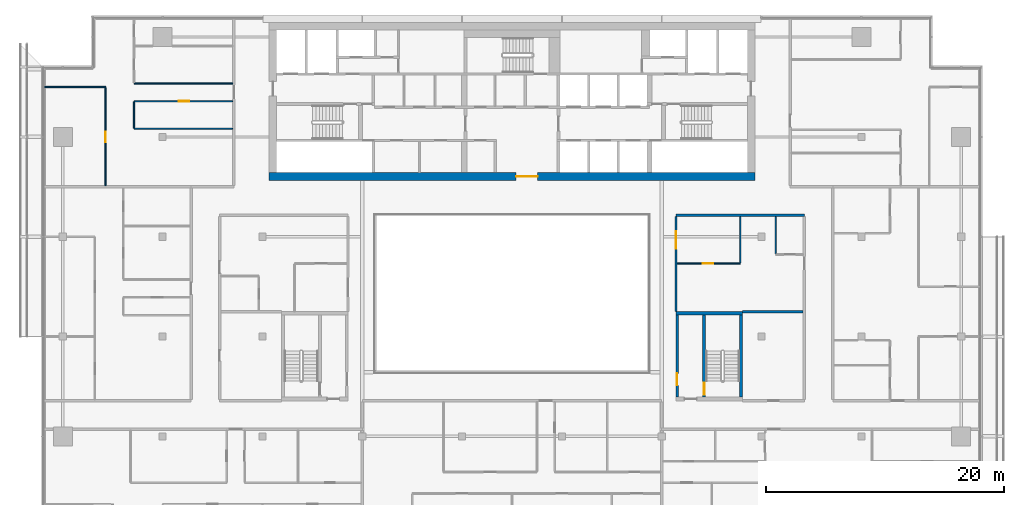
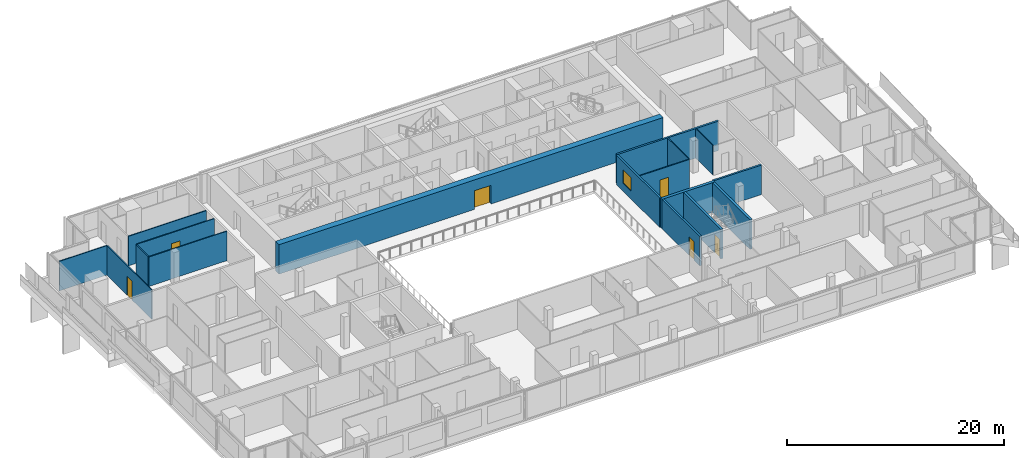
# One storey, part 19 of 28: 17 walls, 6 doors, 1 window, 7 openings.
"""IFC4 building model written with IfcOpenShell, lengths in metres."""

from ifc_helpers import new_model, si_unit, direction, frame, frame_2d, origin, place, context, subcontext, project, spatial, rectangle, extrude, material, layer, layer_set, type_object, element, fill, save


model = new_model("IFC4")

# Units and contexts
model_context = context("Model", 3, precision=1e-05, world=origin(), true_north=direction((0.0, 1.0)))
body_context = subcontext(model_context, "Body", "Model", "MODEL_VIEW")
ifc_project = project(units=[si_unit("LENGTHUNIT", "METRE"), si_unit("AREAUNIT", "SQUARE_METRE"), si_unit("VOLUMEUNIT", "CUBIC_METRE"), si_unit("PLANEANGLEUNIT", "RADIAN"), si_unit("MASSUNIT", "GRAM", prefix="KILO")], contexts=[model_context])

# Site, building, storey
site_placement = place(None, origin())
site = spatial("IfcSite", under=ifc_project, at=site_placement, CompositionType="ELEMENT")
building_placement = place(site_placement, origin())
building = spatial("IfcBuilding", under=site, at=building_placement, Name="Saffron Gate Tower", CompositionType="ELEMENT")
storey_placement = place(building_placement, frame((0.0, 0.0, 241.5)))
storey = spatial("IfcBuildingStorey", under=building, at=storey_placement, Name="L59", CompositionType="ELEMENT", Elevation=241.5)

# Wall, opening, door
ifc_material_1 = material(Name="Gypsum board partition on steel studs", Category="steel")
ifc_layer_1 = layer(ifc_material_1, 0.199951171875)
ifc_layer_set_1 = layer_set([ifc_layer_1], Name="CW10 Core partition 200")
wall_type_1 = type_object("IfcWallType", Name="CW10 Core partition 200", PredefinedType="PARTITIONING", material=ifc_layer_set_1)
wall_1_placement = place(storey_placement, frame((101.5, 43.5, 0.0), z_axis=(0.0, 0.0, 1.0), x_axis=(0.0, 1.0, 0.0)))
wall_1 = element("IfcWall", 1, at=wall_1_placement, inside=storey, type_object=wall_type_1, Name="Wall CW10-L59-E-2", PredefinedType="PARTITIONING", context=body_context, shape_type="SweptSolid", body=[
    extrude(rectangle(XDim=6.89990234375, YDim=0.199951171875, at=frame_2d((3.449951171875, 0.0))), origin(), (0.0, 0.0, 1.0), 3.320068359375),
])
opening_1_placement = place(wall_1_placement, frame((1.0, 0.0, 0.0)))
opening_1 = element("IfcOpeningElement", 2, at=opening_1_placement, cuts=wall_1, Name="Opening CR-22", PredefinedType="OPENING", context=body_context, shape_type="SweptSolid", body=[
    extrude(rectangle(XDim=1.0, YDim=2.10009765625, at=frame_2d((0.5, 1.050048828125))), frame((0.0, 0.10986328125, 0.0), z_axis=(0.0, -1.0, 0.0), x_axis=(1.0, 0.0, 0.0)), (0.0, 0.0, 1.0), 0.219970703125),
])
ifc_material_2 = material(Name="Steel fire door set", Category="steel")
door_type_1 = type_object("IfcDoorType", Name="CD4 Lobby door 1000x2100 EI 120", OperationType="NOTDEFINED", PredefinedType="DOOR", material=ifc_material_2)
door_1_placement = place(opening_1_placement, origin())
door_1 = element("IfcDoor", 3, at=door_1_placement, inside=storey, type_object=door_type_1, Name="DOOR CR-22", OperationType="SINGLE_SWING_LEFT", OverallHeight=2.10009765625, OverallWidth=1.0, PredefinedType="DOOR", context=body_context, shape_type="SweptSolid", body=[
    extrude(rectangle(XDim=1.0, YDim=2.10009765625, at=frame_2d((0.5, 1.050048828125))), frame((0.0, 0.02490234375, 0.0), z_axis=(0.0, -1.0, 0.0), x_axis=(1.0, 0.0, 0.0)), (0.0, 0.0, 1.0), 0.050048828125),
])
fill(opening_1, door_1)

ifc_material_3 = material(Name="Concrete C60", Category="concrete")
ifc_layer_2 = layer(ifc_material_3, 0.25)
ifc_layer_set_2 = layer_set([ifc_layer_2], Name="CW14 RC core wall 250 C60")
wall_type_2 = type_object("IfcWallType", Name="CW14 RC core wall 250 C60", PredefinedType="SOLIDWALL", material=ifc_layer_set_2)
wall_2_placement = place(storey_placement, frame((103.77490234375, 43.5, 0.0), z_axis=(0.0, 0.0, 1.0), x_axis=(0.0, 1.0, 0.0)))
wall_2 = element("IfcWall", 4, at=wall_2_placement, inside=storey, type_object=wall_type_2, Name="Wall CW14-L59-E-3", PredefinedType="SOLIDWALL", context=body_context, shape_type="SweptSolid", body=[
    extrude(rectangle(XDim=6.89990234375, YDim=0.25, at=frame_2d((3.449951171875, 0.0))), origin(), (0.0, 0.0, 1.0), 3.320068359375),
])
opening_2_placement = place(wall_2_placement, frame((0.199951171875, 0.0, 0.0)))
opening_2 = element("IfcOpeningElement", 5, at=opening_2_placement, cuts=wall_2, Name="Opening CR-23", PredefinedType="OPENING", context=body_context, shape_type="SweptSolid", body=[
    extrude(rectangle(XDim=1.0, YDim=2.10009765625, at=frame_2d((0.5, 1.050048828125))), frame((0.0, 0.135009765625, 0.0), z_axis=(0.0, -1.0, 0.0), x_axis=(1.0, 0.0, 0.0)), (0.0, 0.0, 1.0), 0.27001953125),
])
door_type_2 = type_object("IfcDoorType", Name="CD5 Stair door 1000x2100 EI 120", OperationType="NOTDEFINED", PredefinedType="DOOR", material=ifc_material_2)
door_2_placement = place(opening_2_placement, origin())
door_2 = element("IfcDoor", 6, at=door_2_placement, inside=storey, type_object=door_type_2, Name="DOOR CR-23", OperationType="SINGLE_SWING_RIGHT", OverallHeight=2.10009765625, OverallWidth=1.0, PredefinedType="DOOR", context=body_context, shape_type="SweptSolid", body=[
    extrude(rectangle(XDim=1.0, YDim=2.10009765625, at=frame_2d((0.5, 1.050048828125))), frame((0.0, 0.02490234375, 0.0), z_axis=(0.0, -1.0, 0.0), x_axis=(1.0, 0.0, 0.0)), (0.0, 0.0, 1.0), 0.050048828125),
])
fill(opening_2, door_2)

# Walls
wall_3_placement = place(storey_placement, frame((106.875, 43.5, 0.0), z_axis=(0.0, 0.0, 1.0), x_axis=(0.0, 1.0, 0.0)))
element("IfcWall", 7, at=wall_3_placement, inside=storey, type_object=wall_type_2, Name="Wall CW14-L59-E-4", PredefinedType="SOLIDWALL", context=body_context, shape_type="SweptSolid", body=[
    extrude(rectangle(XDim=6.89990234375, YDim=0.25, at=frame_2d((3.449951171875, 0.0))), origin(), (0.0, 0.0, 1.0), 3.320068359375),
])
ifc_layer_3 = layer(ifc_material_3, 0.300048828125)
ifc_layer_set_3 = layer_set([ifc_layer_3], Name="CW17 RC core wall 300 C60")
wall_type_3 = type_object("IfcWallType", Name="CW17 RC core wall 300 C60", PredefinedType="SOLIDWALL", material=ifc_layer_set_3)
wall_4_placement = place(storey_placement, frame((101.39990234375, 50.550048828125, 0.0), z_axis=(0.0, 0.0, 1.0), x_axis=(1.0, 0.0, 0.0)))
element("IfcWall", 8, at=wall_4_placement, inside=storey, type_object=wall_type_3, Name="Wall CW17-L59-E-5", PredefinedType="SOLIDWALL", context=body_context, shape_type="SweptSolid", body=[
    extrude(rectangle(XDim=5.60009765625, YDim=0.300048828125, at=frame_2d((2.800048828125, 0.0))), origin(), (0.0, 0.0, 1.0), 3.320068359375),
])

# Wall, opening, door
ifc_layer_4 = layer(ifc_material_3, 0.64990234375)
ifc_layer_set_4 = layer_set([ifc_layer_4], Name="CW20 RC core wall 650 C60")
wall_type_4 = type_object("IfcWallType", Name="CW20 RC core wall 650 C60", PredefinedType="SOLIDWALL", material=ifc_layer_set_4)
wall_5_placement = place(storey_placement, frame((67.14990234375, 62.074951171875, 0.0), z_axis=(0.0, 0.0, 1.0), x_axis=(1.0, 0.0, 0.0)))
wall_5 = element("IfcWall", 9, at=wall_5_placement, inside=storey, type_object=wall_type_4, Name="Wall CW20-L59-1", PredefinedType="SOLIDWALL", context=body_context, shape_type="SweptSolid", body=[
    extrude(rectangle(XDim=40.900146484375, YDim=0.64990234375, at=frame_2d((20.4501953125, 0.0))), origin(), (0.0, 0.0, 1.0), 3.320068359375),
])
opening_3_placement = place(wall_5_placement, frame((20.800048828125, 0.0, 0.0)))
opening_3 = element("IfcOpeningElement", 10, at=opening_3_placement, cuts=wall_5, Name="Opening CR-09", PredefinedType="OPENING", context=body_context, shape_type="SweptSolid", body=[
    extrude(rectangle(XDim=1.800048828125, YDim=2.10009765625, at=frame_2d((0.89990234375, 1.050048828125))), frame((0.0, 0.3349609375, 0.0), z_axis=(0.0, -1.0, 0.0), x_axis=(1.0, 0.0, 0.0)), (0.0, 0.0, 1.0), 0.669921875),
])
door_type_3 = type_object("IfcDoorType", Name="CD1 Core entrance door 1800x2100 EI 120", OperationType="NOTDEFINED", PredefinedType="DOOR", material=ifc_material_2)
door_3_placement = place(opening_3_placement, origin())
door_3 = element("IfcDoor", 11, at=door_3_placement, inside=storey, type_object=door_type_3, Name="DOOR CR-09", OperationType="DOUBLE_DOOR_SINGLE_SWING", OverallHeight=2.10009765625, OverallWidth=1.800048828125, PredefinedType="DOOR", context=body_context, shape_type="SweptSolid", body=[
    extrude(rectangle(XDim=1.800048828125, YDim=2.10009765625, at=frame_2d((0.89990234375, 1.050048828125))), frame((0.0, 0.02490234375, 0.0), z_axis=(0.0, -1.0, 0.0), x_axis=(1.0, 0.0, 0.0)), (0.0, 0.0, 1.0), 0.050048828125),
])
fill(opening_3, door_3)

ifc_material_4 = material(Name="Plasterboard on steel studs", Category="steel")
ifc_layer_5 = layer(ifc_material_4, 0.10009765625)
ifc_layer_set_5 = layer_set([ifc_layer_5], Name="PW1 Partition 100")
wall_type_5 = type_object("IfcWallType", Name="PW1 Partition 100", PredefinedType="PARTITIONING", material=ifc_layer_set_5)
wall_6_placement = place(storey_placement, frame((101.5, 54.75, 0.0), z_axis=(0.0, 0.0, 1.0), x_axis=(1.0, 0.0, 0.0)))
wall_6 = element("IfcWall", 12, at=wall_6_placement, inside=storey, type_object=wall_type_5, Name="Partition D4-36", PredefinedType="PARTITIONING", context=body_context, shape_type="SweptSolid", body=[
    extrude(rectangle(XDim=5.300048828125, YDim=0.10009765625, at=frame_2d((2.64990234375, 0.0))), origin(), (0.0, 0.0, 1.0), 3.320068359375),
])
opening_4_placement = place(wall_6_placement, frame((2.14990234375, 0.0, 0.0)))
opening_4 = element("IfcOpeningElement", 13, at=opening_4_placement, cuts=wall_6, Name="Opening D4-36", PredefinedType="OPENING", context=body_context, shape_type="SweptSolid", body=[
    extrude(rectangle(XDim=0.89990234375, YDim=2.10009765625, at=frame_2d((0.449951171875, 1.050048828125))), frame((0.0, 0.06005859375, 0.0), z_axis=(0.0, -1.0, 0.0), x_axis=(1.0, 0.0, 0.0)), (0.0, 0.0, 1.0), 0.1201171875),
])
ifc_material_5 = material(Name="Timber door set", Category="wood")
door_type_4 = type_object("IfcDoorType", Name="RD1 Room door 900x2100", OperationType="NOTDEFINED", PredefinedType="DOOR", material=ifc_material_5)
door_4_placement = place(opening_4_placement, origin())
door_4 = element("IfcDoor", 14, at=door_4_placement, inside=storey, type_object=door_type_4, Name="Door D4-36", OperationType="SINGLE_SWING_LEFT", OverallHeight=2.10009765625, OverallWidth=0.89990234375, PredefinedType="DOOR", context=body_context, shape_type="SweptSolid", body=[
    extrude(rectangle(XDim=0.89990234375, YDim=2.10009765625, at=frame_2d((0.449951171875, 1.050048828125))), frame((0.0, 0.02490234375, 0.0), z_axis=(0.0, -1.0, 0.0), x_axis=(1.0, 0.0, 0.0)), (0.0, 0.0, 1.0), 0.050048828125),
])
fill(opening_4, door_4)

# Wall
wall_7_placement = place(storey_placement, frame((55.800048828125, 66.0810546875, 0.0), z_axis=(0.0, 0.0, 1.0), x_axis=(1.0, 0.0, 0.0)))
element("IfcWall", 15, at=wall_7_placement, inside=storey, type_object=wall_type_5, Name="Partition D4-51", PredefinedType="PARTITIONING", context=body_context, shape_type="SweptSolid", body=[
    extrude(rectangle(XDim=8.300048828125, YDim=0.10009765625, at=frame_2d((4.14990234375, 0.0))), origin(), (0.0, 0.0, 1.0), 3.320068359375),
])

# Wall, opening, door
wall_8_placement = place(storey_placement, frame((64.10009765625, 68.39990234375, 0.0), z_axis=(0.0, 0.0, 1.0), x_axis=(-1.0, 0.0, 0.0)))
wall_8 = element("IfcWall", 16, at=wall_8_placement, inside=storey, type_object=wall_type_5, Name="Partition D4-52", PredefinedType="PARTITIONING", context=body_context, shape_type="SweptSolid", body=[
    extrude(rectangle(XDim=8.300048828125, YDim=0.10009765625, at=frame_2d((4.14990234375, 0.0))), origin(), (0.0, 0.0, 1.0), 3.320068359375),
])
opening_5_placement = place(wall_8_placement, frame((3.64990234375, 0.0, 0.0)))
opening_5 = element("IfcOpeningElement", 17, at=opening_5_placement, cuts=wall_8, Name="Opening D4-27", PredefinedType="OPENING", context=body_context, shape_type="SweptSolid", body=[
    extrude(rectangle(XDim=0.89990234375, YDim=2.10009765625, at=frame_2d((0.449951171875, 1.050048828125))), frame((0.0, 0.06005859375, 0.0), z_axis=(0.0, -1.0, 0.0), x_axis=(1.0, 0.0, 0.0)), (0.0, 0.0, 1.0), 0.1201171875),
])
door_5_placement = place(opening_5_placement, origin())
door_5 = element("IfcDoor", 18, at=door_5_placement, inside=storey, type_object=door_type_4, Name="Door D4-27", OperationType="SINGLE_SWING_LEFT", OverallHeight=2.10009765625, OverallWidth=0.89990234375, PredefinedType="DOOR", context=body_context, shape_type="SweptSolid", body=[
    extrude(rectangle(XDim=0.89990234375, YDim=2.10009765625, at=frame_2d((0.449951171875, 1.050048828125))), frame((0.0, 0.02490234375, 0.0), z_axis=(0.0, -1.0, 0.0), x_axis=(1.0, 0.0, 0.0)), (0.0, 0.0, 1.0), 0.050048828125),
])
fill(opening_5, door_5)

# Walls
wall_9_placement = place(storey_placement, frame((48.280029296875, 69.60009765625, 0.0), z_axis=(0.0, 0.0, 1.0), x_axis=(1.0, 0.0, 0.0)))
element("IfcWall", 19, at=wall_9_placement, inside=storey, type_object=wall_type_5, Name="Partition D4-53", PredefinedType="PARTITIONING", context=body_context, shape_type="SweptSolid", body=[
    extrude(rectangle(XDim=5.119873046875, YDim=0.10009765625, at=frame_2d((2.56005859375, 0.0))), origin(), (0.0, 0.0, 1.0), 3.320068359375),
])
wall_10_placement = place(storey_placement, frame((55.800048828125, 69.89990234375, 0.0), z_axis=(0.0, 0.0, 1.0), x_axis=(1.0, 0.0, 0.0)))
element("IfcWall", 20, at=wall_10_placement, inside=storey, type_object=wall_type_5, Name="Partition D4-55", PredefinedType="PARTITIONING", context=body_context, shape_type="SweptSolid", body=[
    extrude(rectangle(XDim=8.300048828125, YDim=0.10009765625, at=frame_2d((4.14990234375, 0.0))), origin(), (0.0, 0.0, 1.0), 3.320068359375),
])

# Wall, opening, door
wall_11_placement = place(storey_placement, frame((53.39990234375, 61.300048828125, 0.0), z_axis=(0.0, 0.0, 1.0), x_axis=(0.0, 1.0, 0.0)))
wall_11 = element("IfcWall", 21, at=wall_11_placement, inside=storey, type_object=wall_type_5, Name="Partition D4-60", PredefinedType="PARTITIONING", context=body_context, shape_type="SweptSolid", body=[
    extrude(rectangle(XDim=8.25, YDim=0.10009765625, at=frame_2d((4.125, 0.0))), origin(), (0.0, 0.0, 1.0), 3.320068359375),
])
opening_6_placement = place(wall_11_placement, frame((3.64990234375, 0.0, 0.0)))
opening_6 = element("IfcOpeningElement", 22, at=opening_6_placement, cuts=wall_11, Name="Opening D4-26", PredefinedType="OPENING", context=body_context, shape_type="SweptSolid", body=[
    extrude(rectangle(XDim=0.89990234375, YDim=2.10009765625, at=frame_2d((0.449951171875, 1.050048828125))), frame((0.0, 0.06005859375, 0.0), z_axis=(0.0, -1.0, 0.0), x_axis=(1.0, 0.0, 0.0)), (0.0, 0.0, 1.0), 0.1201171875),
])
door_6_placement = place(opening_6_placement, origin())
door_6 = element("IfcDoor", 23, at=door_6_placement, inside=storey, type_object=door_type_4, Name="Door D4-26", OperationType="SINGLE_SWING_LEFT", OverallHeight=2.10009765625, OverallWidth=0.89990234375, PredefinedType="DOOR", context=body_context, shape_type="SweptSolid", body=[
    extrude(rectangle(XDim=0.89990234375, YDim=2.10009765625, at=frame_2d((0.449951171875, 1.050048828125))), frame((0.0, 0.02490234375, 0.0), z_axis=(0.0, -1.0, 0.0), x_axis=(1.0, 0.0, 0.0)), (0.0, 0.0, 1.0), 0.050048828125),
])
fill(opening_6, door_6)

# Walls
wall_12_placement = place(storey_placement, frame((55.800048828125, 68.35009765625, 0.0), z_axis=(0.0, 0.0, 1.0), x_axis=(0.0, -1.0, 0.0)))
element("IfcWall", 24, at=wall_12_placement, inside=storey, type_object=wall_type_5, Name="Partition D4-65", PredefinedType="PARTITIONING", context=body_context, shape_type="SweptSolid", body=[
    extrude(rectangle(XDim=2.218994140625, YDim=0.10009765625, at=frame_2d((1.109375, 0.0))), origin(), (0.0, 0.0, 1.0), 3.320068359375),
])
wall_13_placement = place(storey_placement, frame((106.800048828125, 58.699951171875, 0.0), z_axis=(0.0, 0.0, 1.0), x_axis=(0.0, -1.0, 0.0)))
element("IfcWall", 25, at=wall_13_placement, inside=storey, type_object=wall_type_5, Name="Partition D4-98", PredefinedType="PARTITIONING", context=body_context, shape_type="SweptSolid", body=[
    extrude(rectangle(XDim=3.89990234375, YDim=0.10009765625, at=frame_2d((1.949951171875, 0.0))), origin(), (0.0, 0.0, 1.0), 3.320068359375),
])
wall_14_placement = place(storey_placement, frame((109.800048828125, 58.699951171875, 0.0), z_axis=(0.0, 0.0, 1.0), x_axis=(0.0, -1.0, 0.0)))
element("IfcWall", 26, at=wall_14_placement, inside=storey, type_object=wall_type_5, Name="Partition D4-101", PredefinedType="PARTITIONING", context=body_context, shape_type="SweptSolid", body=[
    extrude(rectangle(XDim=3.14990234375, YDim=0.10009765625, at=frame_2d((1.574951171875, 0.0))), origin(), (0.0, 0.0, 1.0), 3.320068359375),
])
ifc_material_6 = material(Name="Clay brick masonry, rendered", Category="masonry")
ifc_layer_6 = layer(ifc_material_6, 0.199951171875)
ifc_layer_set_6 = layer_set([ifc_layer_6], Name="PW2 Demising wall 200")
wall_type_6 = type_object("IfcWallType", Name="PW2 Demising wall 200", PredefinedType="PARTITIONING", material=ifc_layer_set_6)
wall_15_placement = place(storey_placement, frame((107.0, 50.699951171875, 0.0), z_axis=(0.0, 0.0, 1.0), x_axis=(1.0, 0.0, 0.0)))
element("IfcWall", 27, at=wall_15_placement, inside=storey, type_object=wall_type_6, Name="Wall D4-30", PredefinedType="PARTITIONING", context=body_context, shape_type="SweptSolid", body=[
    extrude(rectangle(XDim=5.10009765625, YDim=0.199951171875, at=frame_2d((2.550048828125, 0.0))), origin(), (0.0, 0.0, 1.0), 3.320068359375),
])
ifc_layer_7 = layer(ifc_material_6, 0.199951171875)
ifc_layer_set_7 = layer_set([ifc_layer_7], Name="PW3 Corridor wall 200")
wall_type_7 = type_object("IfcWallType", Name="PW3 Corridor wall 200", PredefinedType="PARTITIONING", material=ifc_layer_set_7)
wall_16_placement = place(storey_placement, frame((101.39990234375, 58.800048828125, 0.0), z_axis=(0.0, 0.0, 1.0), x_axis=(1.0, 0.0, 0.0)))
element("IfcWall", 28, at=wall_16_placement, inside=storey, type_object=wall_type_7, Name="Wall D4-44", PredefinedType="PARTITIONING", context=body_context, shape_type="SweptSolid", body=[
    extrude(rectangle(XDim=10.800048828125, YDim=0.199951171875, at=frame_2d((5.39990234375, 0.0))), origin(), (0.0, 0.0, 1.0), 3.320068359375),
])

# Wall, opening, window
wall_17_placement = place(storey_placement, frame((101.39990234375, 58.699951171875, 0.0), z_axis=(0.0, 0.0, 1.0), x_axis=(0.0, -1.0, 0.0)))
wall_17 = element("IfcWall", 29, at=wall_17_placement, inside=storey, type_object=wall_type_7, Name="Wall D4-95", PredefinedType="PARTITIONING", context=body_context, shape_type="SweptSolid", body=[
    extrude(rectangle(XDim=8.0, YDim=0.199951171875, at=frame_2d((4.0, 0.0))), origin(), (0.0, 0.0, 1.0), 3.320068359375),
])
opening_7_placement = place(wall_17_placement, frame((1.22509765625, 0.0, 0.89990234375)))
opening_7 = element("IfcOpeningElement", 30, at=opening_7_placement, cuts=wall_17, Name="Opening GW1", PredefinedType="OPENING", context=body_context, shape_type="SweptSolid", body=[
    extrude(rectangle(XDim=1.5, YDim=1.5, at=frame_2d((0.75, 0.75))), frame((0.0, 0.10986328125, 0.0), z_axis=(0.0, -1.0, 0.0), x_axis=(1.0, 0.0, 0.0)), (0.0, 0.0, 1.0), 0.219970703125),
])
ifc_material_7 = material(Name="Fire-resisting laminated glass in steel frame", Category="steel")
ifc_layer_8 = layer(ifc_material_7, 0.06005859375)
ifc_layer_set_8 = layer_set([ifc_layer_8], Name="GW1 Gallery window 1500x1500")
window_type = type_object("IfcWindowType", Name="GW1 Gallery window 1500x1500", PartitioningType="SINGLE_PANEL", PredefinedType="WINDOW", material=ifc_layer_set_8)
window_placement = place(opening_7_placement, origin())
window = element("IfcWindow", 31, at=window_placement, inside=storey, type_object=window_type, Name="GW1 window D4-J-B1", OverallHeight=1.5, OverallWidth=1.5, PartitioningType="SINGLE_PANEL", PredefinedType="WINDOW", context=body_context, shape_type="SweptSolid", body=[
    extrude(rectangle(XDim=1.5, YDim=1.5, at=frame_2d((0.75, 0.75))), frame((0.0, 0.030029296875, 0.0), z_axis=(0.0, -1.0, 0.0), x_axis=(1.0, 0.0, 0.0)), (0.0, 0.0, 1.0), 0.06005859375),
])
fill(opening_7, window)

save(model, "model.ifc")
